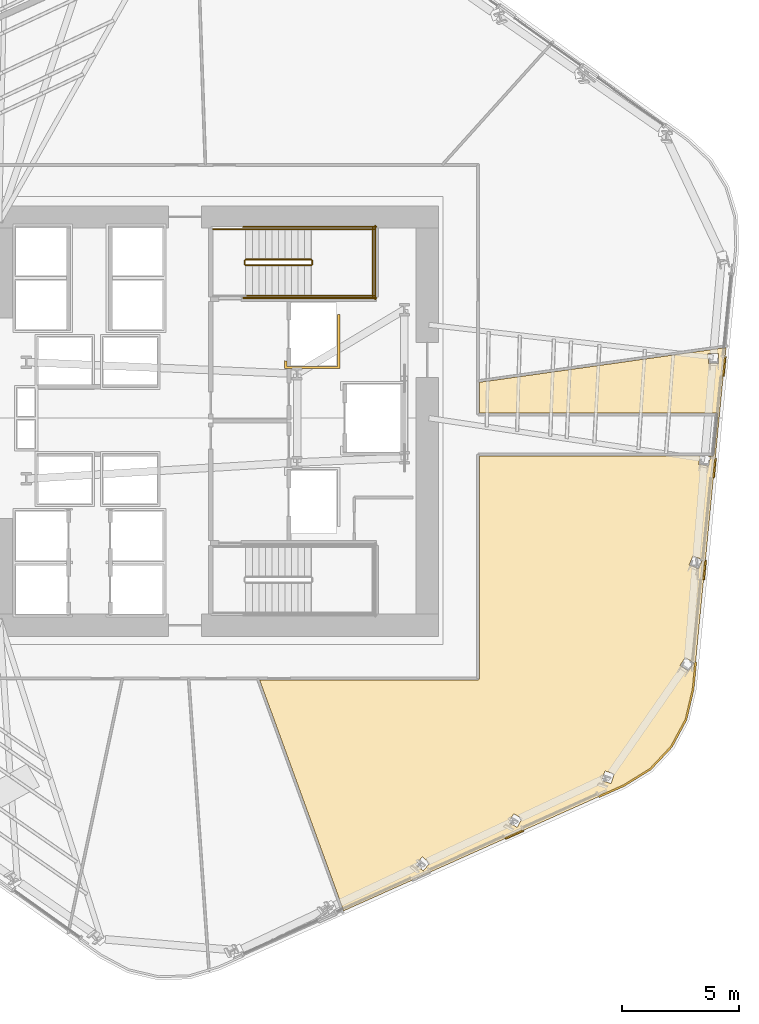
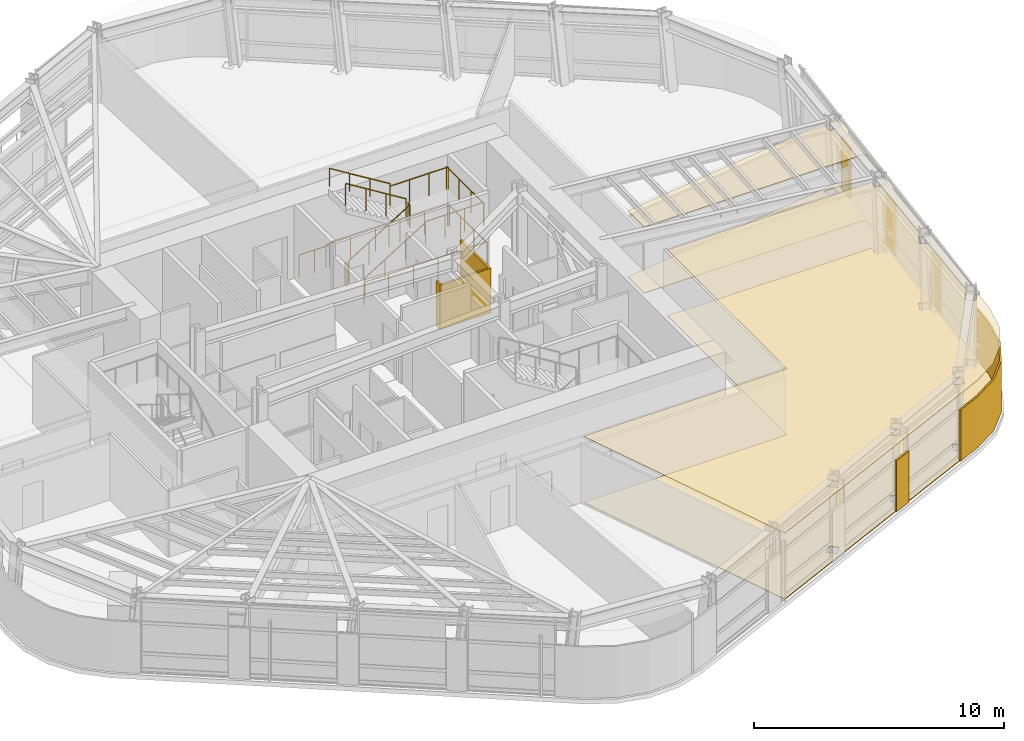
# One storey, part 14 of 16: 13 railings, 8 coverings.
"""IFC4 building model written with IfcOpenShell, lengths in metres."""

from ifc_helpers import new_model, si_unit, direction, frame, origin, origin_2d, place, context, subcontext, project, spatial, polyline, circle, outline, extrude, material, layer, layer_set, type_object, element, save


model = new_model("IFC4")

# Units and contexts
model_context = context("Model", 3, precision=1e-05, world=origin(), true_north=direction((0.0, 1.0)))
body_context = subcontext(model_context, "Body", "Model", "MODEL_VIEW")
ifc_project = project(units=[si_unit("LENGTHUNIT", "METRE"), si_unit("AREAUNIT", "SQUARE_METRE"), si_unit("VOLUMEUNIT", "CUBIC_METRE"), si_unit("PLANEANGLEUNIT", "RADIAN"), si_unit("MASSUNIT", "GRAM", prefix="KILO")], contexts=[model_context])

# Site, building, storey
site_placement = place(None, origin())
site = spatial("IfcSite", under=ifc_project, at=site_placement, CompositionType="ELEMENT")
building_placement = place(site_placement, origin())
building = spatial("IfcBuilding", under=site, at=building_placement, Name="Valkerne Bourse Tower", CompositionType="ELEMENT")
storey_placement = place(building_placement, frame((0.0, 0.0, 127.60009765625)))
storey = spatial("IfcBuildingStorey", under=building, at=storey_placement, Name="L32", CompositionType="ELEMENT", Elevation=127.60009765625)

# Coverings
ifc_material_1 = material(Name="Mineral Fiber Acoustic Ceiling Tile", Category="acoustic")
ifc_layer_1 = layer(ifc_material_1, 0.02490234375)
ifc_layer_set_1 = layer_set([ifc_layer_1], Name="Mineral Fiber Acoustic Ceiling Tile")
covering_type_1 = type_object("IfcCoveringType", Name="COV-CEIL-ACT", PredefinedType="CEILING", material=ifc_layer_set_1)
covering_1_placement = place(storey_placement, frame((0.0, 0.0, 3.22998046875)))
element("IfcCovering", 1, at=covering_1_placement, inside=storey, type_object=covering_type_1, Name="L32 Suspended Ceiling 11", PredefinedType="CEILING", context=body_context, shape_type="SweptSolid", body=[
    extrude(outline(polyline([(66.3876953125, 12.9248046875), (65.484375, 11.962890625), (64.35498046875, 11.2626953125), (52.346923828125, 5.88671875), (48.745849609375, 15.781005859375), (58.1005859375, 15.781005859375), (58.140625, 15.794189453125), (58.162109375, 15.81982421875), (58.1689453125, 15.849609375), (58.1689453125, 25.381103515625), (67.626708984375, 25.381591796875), (67.557861328125, 25.026123046875), (67.5576171875, 25.023193359375), (67.98193359375, 24.941162109375), (68.06103515625, 25.348876953125), (68.061279296875, 25.35205078125), (67.906982421875, 25.3818359375), (68.16162109375, 25.3818359375), (68.20166015625, 25.403076171875), (68.218994140625, 25.43994140625), (68.3837890625, 27.14794921875), (68.365966796875, 27.196533203125), (68.343994140625, 27.212646484375), (68.315185546875, 27.218994140625), (58.1689453125, 27.218994140625), (58.1689453125, 28.5380859375), (68.72900390625, 30.022216796875), (67.314697265625, 15.381591796875), (67.01123046875, 14.087646484375), (66.3876953125, 12.9248046875)]), holes=[polyline([(55.752685546875, 7.60009765625), (56.034423828125, 7.926025390625), (55.72021484375, 8.199462890625), (55.717529296875, 8.1982421875), (55.435546875, 7.872314453125), (55.75, 7.598876953125), (55.752685546875, 7.60009765625)]), polyline([(59.783203125, 9.46728515625), (59.992919921875, 9.843505859375), (59.629638671875, 10.04736328125), (59.626953125, 10.04541015625), (59.41748046875, 9.669189453125), (59.78076171875, 9.46533203125), (59.783203125, 9.46728515625)]), polyline([(63.94140625, 11.7529296875), (63.546142578125, 11.885009765625), (63.5439453125, 11.882568359375), (63.408935546875, 11.4736328125), (63.80419921875, 11.341796875), (63.806396484375, 11.343994140625), (63.94140625, 11.7529296875)]), polyline([(67.3515625, 16.509521484375), (66.9912109375, 16.747802734375), (66.76171875, 16.40185546875), (66.76025390625, 16.39892578125), (67.12060546875, 16.160400390625), (67.35009765625, 16.50634765625), (67.3515625, 16.509521484375)]), polyline([(67.712646484375, 20.9306640625), (67.31396484375, 21.09716796875), (67.153564453125, 20.714111328125), (67.152587890625, 20.711181640625), (67.551513671875, 20.54443359375), (67.7119140625, 20.927490234375), (67.712646484375, 20.9306640625)]), polyline([(68.405029296875, 29.348388671875), (68.3994140625, 29.763427734375), (68.399169921875, 29.7666015625), (67.967041015625, 29.760498046875), (67.97265625, 29.34521484375), (67.972900390625, 29.342041015625), (68.405029296875, 29.348388671875)])]), origin(), (0.0, 0.0, 1.0), 0.02490234375),
])
ifc_material_2 = material(Name="Bronze Anodised Aluminium AA 6063-T6", Category="aluminium")
ifc_layer_2 = layer(ifc_material_2, 0.06005859375)
ifc_layer_set_2 = layer_set([ifc_layer_2], Name="Bronze Anodised Aluminium AA 6063-T6")
covering_type_2 = type_object("IfcCoveringType", Name="COV-CRN-ALUM", PredefinedType="CLADDING", material=ifc_layer_set_2)
covering_2_placement = place(storey_placement, origin())
element("IfcCovering", 2, at=covering_2_placement, inside=storey, type_object=covering_type_2, Name="L32 Wind-Shaped Corner Aluminium Cladding 06", PredefinedType="CLADDING", context=body_context, shape_type="SweptSolid", body=[
    extrude(outline(polyline([(68.6552734375, 28.80126953125), (68.57568359375, 28.80908203125), (68.656494140625, 29.6455078125), (68.736083984375, 29.637451171875), (68.6552734375, 28.80126953125)])), origin(), (0.0, 0.0, 1.0), 2.5),
])
covering_3_placement = place(storey_placement, origin())
element("IfcCovering", 3, at=covering_3_placement, inside=storey, type_object=covering_type_2, Name="L32 Wind-Shaped Corner Aluminium Cladding 07", PredefinedType="CLADDING", context=body_context, shape_type="SweptSolid", body=[
    extrude(outline(polyline([(68.23388671875, 24.438720703125), (68.154296875, 24.446533203125), (68.235107421875, 25.28271484375), (68.314697265625, 25.274658203125), (68.23388671875, 24.438720703125)])), origin(), (0.0, 0.0, 1.0), 2.5),
])
covering_4_placement = place(storey_placement, origin())
element("IfcCovering", 4, at=covering_4_placement, inside=storey, type_object=covering_type_2, Name="L32 Wind-Shaped Corner Aluminium Cladding 08", PredefinedType="CLADDING", context=body_context, shape_type="SweptSolid", body=[
    extrude(outline(polyline([(67.8125, 20.07568359375), (67.73291015625, 20.083740234375), (67.8134765625, 20.919921875), (67.89306640625, 20.911865234375), (67.8125, 20.07568359375)])), origin(), (0.0, 0.0, 1.0), 2.5),
])
covering_5_placement = place(storey_placement, origin())
element("IfcCovering", 5, at=covering_5_placement, inside=storey, type_object=covering_type_2, Name="L32 Wind-Shaped Corner Aluminium Cladding 09", PredefinedType="CLADDING", context=body_context, shape_type="SweptSolid", body=[
    extrude(outline(polyline([(67.358154296875, 15.374267578125), (67.052734375, 14.072021484375), (66.423828125, 12.89892578125), (65.512451171875, 11.9287109375), (64.375732421875, 11.2236328125), (63.29833984375, 10.741455078125), (63.265380859375, 10.814208984375), (64.338134765625, 11.29443359375), (65.46142578125, 11.990966796875), (66.3583984375, 12.94580078125), (66.977294921875, 14.1005859375), (67.279052734375, 15.38720703125), (67.39208984375, 16.55712890625), (67.4716796875, 16.54931640625), (67.358154296875, 15.374267578125)])), origin(), (0.0, 0.0, 1.0), 2.5),
])
covering_6_placement = place(storey_placement, origin())
element("IfcCovering", 6, at=covering_6_placement, inside=storey, type_object=covering_type_2, Name="L32 Wind-Shaped Corner Aluminium Cladding 10", PredefinedType="CLADDING", context=body_context, shape_type="SweptSolid", body=[
    extrude(outline(polyline([(59.2978515625, 8.950439453125), (59.264892578125, 9.0234375), (60.03173828125, 9.36669921875), (60.064697265625, 9.293701171875), (59.2978515625, 8.950439453125)])), origin(), (0.0, 0.0, 1.0), 2.5),
])
ifc_material_3 = material(Name="Polished Granite Stone", Category="masonry")
ifc_layer_3 = layer(ifc_material_3, 0.030029296875)
ifc_layer_set_3 = layer_set([ifc_layer_3], Name="Polished Granite Stone")
covering_type_3 = type_object("IfcCoveringType", Name="COV-FLR-TERRAZZO", PredefinedType="FLOORING", material=ifc_layer_set_3)
covering_7_placement = place(storey_placement, origin())
element("IfcCovering", 7, at=covering_7_placement, inside=storey, type_object=covering_type_3, Name="L32 Floor Finish 11", PredefinedType="FLOORING", context=body_context, shape_type="SweptSolid", body=[
    extrude(outline(polyline([(66.3876953125, 12.9248046875), (65.484375, 11.962890625), (64.35498046875, 11.2626953125), (52.346923828125, 5.88671875), (48.745849609375, 15.781005859375), (58.1005859375, 15.781005859375), (58.140625, 15.794189453125), (58.162109375, 15.81982421875), (58.1689453125, 15.849609375), (58.1689453125, 25.381103515625), (67.626708984375, 25.381591796875), (67.557861328125, 25.026123046875), (67.5576171875, 25.023193359375), (67.98193359375, 24.941162109375), (68.06103515625, 25.348876953125), (68.061279296875, 25.35205078125), (67.906982421875, 25.3818359375), (68.16162109375, 25.3818359375), (68.20166015625, 25.403076171875), (68.218994140625, 25.43994140625), (68.3837890625, 27.14794921875), (68.365966796875, 27.196533203125), (68.343994140625, 27.212646484375), (68.315185546875, 27.218994140625), (58.1689453125, 27.218994140625), (58.1689453125, 28.5380859375), (68.72900390625, 30.022216796875), (67.314697265625, 15.381591796875), (67.01123046875, 14.087646484375), (66.3876953125, 12.9248046875)]), holes=[polyline([(55.752685546875, 7.60009765625), (56.034423828125, 7.926025390625), (55.72021484375, 8.199462890625), (55.717529296875, 8.1982421875), (55.435546875, 7.872314453125), (55.75, 7.598876953125), (55.752685546875, 7.60009765625)]), polyline([(59.783203125, 9.46728515625), (59.992919921875, 9.843505859375), (59.629638671875, 10.04736328125), (59.626953125, 10.04541015625), (59.41748046875, 9.669189453125), (59.78076171875, 9.46533203125), (59.783203125, 9.46728515625)]), polyline([(63.94140625, 11.7529296875), (63.546142578125, 11.885009765625), (63.5439453125, 11.882568359375), (63.408935546875, 11.4736328125), (63.80419921875, 11.341796875), (63.806396484375, 11.343994140625), (63.94140625, 11.7529296875)]), polyline([(67.3515625, 16.509521484375), (66.9912109375, 16.747802734375), (66.76171875, 16.40185546875), (66.76025390625, 16.39892578125), (67.12060546875, 16.160400390625), (67.35009765625, 16.50634765625), (67.3515625, 16.509521484375)]), polyline([(67.712646484375, 20.9306640625), (67.31396484375, 21.09716796875), (67.153564453125, 20.714111328125), (67.152587890625, 20.711181640625), (67.551513671875, 20.54443359375), (67.7119140625, 20.927490234375), (67.712646484375, 20.9306640625)]), polyline([(68.405029296875, 29.348388671875), (68.3994140625, 29.763427734375), (68.399169921875, 29.7666015625), (67.967041015625, 29.760498046875), (67.97265625, 29.34521484375), (67.972900390625, 29.342041015625), (68.405029296875, 29.348388671875)])]), origin(), (0.0, 0.0, 1.0), 0.02978515625),
])
ifc_material_4 = material(Name="Gypsum Shaftwall Liner Board", Category="gypsum")
ifc_layer_4 = layer(ifc_material_4, 0.080078125)
ifc_layer_set_4 = layer_set([ifc_layer_4], Name="Gypsum Shaftwall Liner Board")
covering_type_4 = type_object("IfcCoveringType", Name="COV-SHF-CLAD", PredefinedType="CLADDING", material=ifc_layer_set_4)
covering_8_placement = place(storey_placement, origin())
element("IfcCovering", 8, at=covering_8_placement, inside=storey, type_object=covering_type_4, Name="L32 Hoistway & Riser Shaftwall Liner 10", PredefinedType="CLADDING", context=body_context, shape_type="SweptSolid", body=[
    extrude(outline(polyline([(49.820068359375, 29.1201171875), (49.820068359375, 29.468017578125), (49.827880859375, 29.46435546875), (49.869384765625, 29.449462890625), (49.909912109375, 29.439208984375), (49.909912109375, 29.2099609375), (52.090087890625, 29.2099609375), (52.090087890625, 31.449951171875), (52.179931640625, 31.449951171875), (52.179931640625, 29.1201171875), (49.820068359375, 29.1201171875)])), origin(), (0.0, 0.0, 1.0), 2.179931640625),
])

# Railings
ifc_material_5 = material(Name="Galvanised Painted Steel", Category="steel")
railing_type_1 = type_object("IfcRailingType", Name="RLG-ST-GUARD-1120", PredefinedType="GUARDRAIL", material=ifc_material_5)
railing_1_placement = place(storey_placement, frame((48.14990234375, 33.550048828125, 0.172607421875)))
element("IfcRailing", 9, at=railing_1_placement, inside=storey, type_object=railing_type_1, Name="L32 ST-2 stair guard 1", PredefinedType="GUARDRAIL", context=body_context, shape_type="SweptSolid", body=[
    extrude(circle(Radius=0.02392578125, at=origin_2d()), frame((0.0, 0.0, 1.09619140625), z_axis=(0.851089632645, 0.0, 0.525020415988), x_axis=(0.0, 1.0, 0.0)), (0.0, 0.0, 1.0), 3.2900390625),
    extrude(circle(Radius=0.02099609375, at=origin_2d()), origin(), (0.0, 0.0, 1.0), 1.072021484375),
    extrude(circle(Radius=0.02099609375, at=origin_2d()), frame((0.933349609375, 0.0, 0.57568359375)), (0.0, 0.0, 1.0), 1.072021484375),
    extrude(circle(Radius=0.02099609375, at=origin_2d()), frame((1.86669921875, 0.0, 1.151611328125)), (0.0, 0.0, 1.0), 1.072021484375),
    extrude(circle(Radius=0.02099609375, at=origin_2d()), frame((2.800048828125, 0.0, 1.727294921875)), (0.0, 0.0, 1.0), 1.072021484375),
])
railing_2_placement = place(storey_placement, frame((51.0, 33.60009765625, 1.89990234375)))
element("IfcRailing", 10, at=railing_2_placement, inside=storey, type_object=railing_type_1, Name="L32 ST-2 stair guard 2", PredefinedType="GUARDRAIL", context=body_context, shape_type="SweptSolid", body=[
    extrude(circle(Radius=0.02392578125, at=origin_2d()), frame((0.0, 0.0, 1.09619140625), z_axis=(0.0, 1.0, 0.0), x_axis=(-1.0, 0.0, 0.0)), (0.0, 0.0, 1.0), 0.14990234375),
    extrude(circle(Radius=0.02099609375, at=origin_2d()), origin(), (0.0, 0.0, 1.0), 1.072021484375),
    extrude(circle(Radius=0.02099609375, at=origin_2d()), frame((0.0, 0.14990234375, 0.0)), (0.0, 0.0, 1.0), 1.072021484375),
])
for number, where, name in (
    (11, (50.949951171875, 32.25, 1.89990234375), "L32 ST-2 stair guard 3"),
    (12, (50.949951171875, 35.10009765625, 1.89990234375), "L32 ST-2 stair guard 4"),
):
    element("IfcRailing", number, at=place(storey_placement, frame(where)), inside=storey, type_object=railing_type_1, Name=name, PredefinedType="GUARDRAIL", context=body_context, shape_type="SweptSolid", body=[
        extrude(circle(Radius=0.02392578125, at=origin_2d()), frame((0.0, 0.0, 1.09619140625), z_axis=(1.0, 0.0, 0.0), x_axis=(0.0, 1.0, 0.0)), (0.0, 0.0, 1.0), 2.699951171875),
        extrude(circle(Radius=0.02099609375, at=origin_2d()), origin(), (0.0, 0.0, 1.0), 1.072021484375),
        extrude(circle(Radius=0.02099609375, at=origin_2d()), frame((0.89990234375, 0.0, 0.0)), (0.0, 0.0, 1.0), 1.072021484375),
        extrude(circle(Radius=0.02099609375, at=origin_2d()), frame((1.800048828125, 0.0, 0.0)), (0.0, 0.0, 1.0), 1.072021484375),
        extrude(circle(Radius=0.02099609375, at=origin_2d()), frame((2.699951171875, 0.0, 0.0)), (0.0, 0.0, 1.0), 1.072021484375),
    ])
railing_3_placement = place(storey_placement, frame((53.60009765625, 32.199951171875, 1.89990234375)))
element("IfcRailing", 13, at=railing_3_placement, inside=storey, type_object=railing_type_1, Name="L32 ST-2 stair guard 5", PredefinedType="GUARDRAIL", context=body_context, shape_type="SweptSolid", body=[
    extrude(circle(Radius=0.02392578125, at=origin_2d()), frame((0.0, 0.0, 1.09619140625), z_axis=(0.0, 1.0, 0.0), x_axis=(-1.0, 0.0, 0.0)), (0.0, 0.0, 1.0), 2.949951171875),
    extrude(circle(Radius=0.02099609375, at=origin_2d()), origin(), (0.0, 0.0, 1.0), 1.072021484375),
    extrude(circle(Radius=0.02099609375, at=origin_2d()), frame((0.0, 0.9833984375, 0.0)), (0.0, 0.0, 1.0), 1.072021484375),
    extrude(circle(Radius=0.02099609375, at=origin_2d()), frame((0.0, 1.966552734375, 0.0)), (0.0, 0.0, 1.0), 1.072021484375),
    extrude(circle(Radius=0.02099609375, at=origin_2d()), frame((0.0, 2.949951171875, 0.0)), (0.0, 0.0, 1.0), 1.072021484375),
])
railing_4_placement = place(storey_placement, frame((50.949951171875, 33.800048828125, 2.072509765625)))
element("IfcRailing", 14, at=railing_4_placement, inside=storey, type_object=railing_type_1, Name="L32 ST-2 stair guard 6", PredefinedType="GUARDRAIL", context=body_context, shape_type="SweptSolid", body=[
    extrude(circle(Radius=0.02392578125, at=origin_2d()), frame((0.0, 0.0, 1.09619140625), z_axis=(-0.851089632645, 0.0, 0.525020415988), x_axis=(0.0, -1.0, 0.0)), (0.0, 0.0, 1.0), 3.2900390625),
    extrude(circle(Radius=0.02099609375, at=origin_2d()), origin(), (0.0, 0.0, 1.0), 1.072021484375),
    extrude(circle(Radius=0.02099609375, at=origin_2d()), frame((-0.933349609375, 0.0, 0.57568359375)), (0.0, 0.0, 1.0), 1.072021484375),
    extrude(circle(Radius=0.02099609375, at=origin_2d()), frame((-1.86669921875, 0.0, 1.151611328125)), (0.0, 0.0, 1.0), 1.072021484375),
    extrude(circle(Radius=0.02099609375, at=origin_2d()), frame((-2.800048828125, 0.0, 1.727294921875)), (0.0, 0.0, 1.0), 1.072021484375),
])
railing_5_placement = place(storey_placement, frame((48.10009765625, 33.60009765625, 0.0)))
element("IfcRailing", 15, at=railing_5_placement, inside=storey, type_object=railing_type_1, Name="L32 ST-2 stair guard 7", PredefinedType="GUARDRAIL", context=body_context, shape_type="SweptSolid", body=[
    extrude(circle(Radius=0.02392578125, at=origin_2d()), frame((0.0, 0.0, 1.09619140625), z_axis=(0.0, 1.0, 0.0), x_axis=(-1.0, 0.0, 0.0)), (0.0, 0.0, 1.0), 0.14990234375),
    extrude(circle(Radius=0.02099609375, at=origin_2d()), origin(), (0.0, 0.0, 1.0), 1.072021484375),
    extrude(circle(Radius=0.02099609375, at=origin_2d()), frame((0.0, 0.14990234375, 0.0)), (0.0, 0.0, 1.0), 1.072021484375),
])
railing_6_placement = place(storey_placement, frame((46.75, 35.10009765625, 0.0)))
element("IfcRailing", 16, at=railing_6_placement, inside=storey, type_object=railing_type_1, Name="L32 ST-2 stair guard 9", PredefinedType="GUARDRAIL", context=body_context, shape_type="SweptSolid", body=[
    extrude(circle(Radius=0.02392578125, at=origin_2d()), frame((0.0, 0.0, 1.09619140625), z_axis=(1.0, 0.0, 0.0), x_axis=(0.0, 1.0, 0.0)), (0.0, 0.0, 1.0), 1.39990234375),
    extrude(circle(Radius=0.02099609375, at=origin_2d()), origin(), (0.0, 0.0, 1.0), 1.072021484375),
    extrude(circle(Radius=0.02099609375, at=origin_2d()), frame((0.699951171875, 0.0, 0.0)), (0.0, 0.0, 1.0), 1.072021484375),
    extrude(circle(Radius=0.02099609375, at=origin_2d()), frame((1.39990234375, 0.0, 0.0)), (0.0, 0.0, 1.0), 1.072021484375),
])
for number, where, name in (
    (17, (48.050048828125, 32.14990234375, 0.0), "L32 ST-2 stair guard 10"),
    (18, (48.050048828125, 35.199951171875, 0.0), "L32 ST-2 stair guard 11"),
):
    element("IfcRailing", number, at=place(storey_placement, frame(where)), inside=storey, type_object=railing_type_1, Name=name, PredefinedType="GUARDRAIL", context=body_context, shape_type="SweptSolid", body=[
        extrude(circle(Radius=0.02392578125, at=origin_2d()), frame((0.0, 0.0, 1.09619140625), z_axis=(1.0, 0.0, 0.0), x_axis=(0.0, 1.0, 0.0)), (0.0, 0.0, 1.0), 5.699951171875),
        extrude(circle(Radius=0.02099609375, at=origin_2d()), origin(), (0.0, 0.0, 1.0), 1.072021484375),
        extrude(circle(Radius=0.02099609375, at=origin_2d()), frame((1.139892578125, 0.0, 0.0)), (0.0, 0.0, 1.0), 1.072021484375),
        extrude(circle(Radius=0.02099609375, at=origin_2d()), frame((2.280029296875, 0.0, 0.0)), (0.0, 0.0, 1.0), 1.072021484375),
        extrude(circle(Radius=0.02099609375, at=origin_2d()), frame((3.419921875, 0.0, 0.0)), (0.0, 0.0, 1.0), 1.072021484375),
        extrude(circle(Radius=0.02099609375, at=origin_2d()), frame((4.56005859375, 0.0, 0.0)), (0.0, 0.0, 1.0), 1.072021484375),
        extrude(circle(Radius=0.02099609375, at=origin_2d()), frame((5.699951171875, 0.0, 0.0)), (0.0, 0.0, 1.0), 1.072021484375),
    ])
railing_7_placement = place(storey_placement, frame((53.699951171875, 32.10009765625, 0.0)))
element("IfcRailing", 19, at=railing_7_placement, inside=storey, type_object=railing_type_1, Name="L32 ST-2 stair guard 12", PredefinedType="GUARDRAIL", context=body_context, shape_type="SweptSolid", body=[
    extrude(circle(Radius=0.02392578125, at=origin_2d()), frame((0.0, 0.0, 1.09619140625), z_axis=(0.0, 1.0, 0.0), x_axis=(-1.0, 0.0, 0.0)), (0.0, 0.0, 1.0), 3.14990234375),
    extrude(circle(Radius=0.02099609375, at=origin_2d()), origin(), (0.0, 0.0, 1.0), 1.072021484375),
    extrude(circle(Radius=0.02099609375, at=origin_2d()), frame((0.0, 1.050048828125, 0.0)), (0.0, 0.0, 1.0), 1.072021484375),
    extrude(circle(Radius=0.02099609375, at=origin_2d()), frame((0.0, 2.099853515625, 0.0)), (0.0, 0.0, 1.0), 1.072021484375),
    extrude(circle(Radius=0.02099609375, at=origin_2d()), frame((0.0, 3.14990234375, 0.0)), (0.0, 0.0, 1.0), 1.072021484375),
])
ifc_material_6 = material(Name="Stainless Steel AISI 316", Category="steel")
railing_type_2 = type_object("IfcRailingType", Name="RLG-ST-HANDRAIL-900", PredefinedType="HANDRAIL", material=ifc_material_6)
railing_8_placement = place(storey_placement, frame((48.14990234375, 32.25, 0.345458984375)))
element("IfcRailing", 20, at=railing_8_placement, inside=storey, type_object=railing_type_2, Name="L32 ST-2 stair handrail 1", PredefinedType="HANDRAIL", context=body_context, shape_type="SweptSolid", body=[
    extrude(circle(Radius=0.02392578125, at=origin_2d()), frame((0.0, 0.0, 0.8759765625), z_axis=(0.851122791225, 0.0, 0.524966660138), x_axis=(0.0, 1.0, 0.0)), (0.0, 0.0, 1.0), 3.289794921875),
    extrude(circle(Radius=0.02099609375, at=origin_2d()), origin(), (0.0, 0.0, 1.0), 0.851806640625),
    extrude(circle(Radius=0.02099609375, at=origin_2d()), frame((0.933349609375, 0.0, 0.57568359375)), (0.0, 0.0, 1.0), 0.851806640625),
    extrude(circle(Radius=0.02099609375, at=origin_2d()), frame((1.86669921875, 0.0, 1.1513671875)), (0.0, 0.0, 1.0), 0.851806640625),
    extrude(circle(Radius=0.02099609375, at=origin_2d()), frame((2.800048828125, 0.0, 1.72705078125)), (0.0, 0.0, 1.0), 0.851806640625),
])
railing_9_placement = place(storey_placement, frame((50.949951171875, 35.10009765625, 2.245361328125)))
element("IfcRailing", 21, at=railing_9_placement, inside=storey, type_object=railing_type_2, Name="L32 ST-2 stair handrail 2", PredefinedType="HANDRAIL", context=body_context, shape_type="SweptSolid", body=[
    extrude(circle(Radius=0.02392578125, at=origin_2d()), frame((0.0, 0.0, 0.8759765625), z_axis=(-0.851089632645, 0.0, 0.525020415988), x_axis=(0.0, -1.0, 0.0)), (0.0, 0.0, 1.0), 3.2900390625),
    extrude(circle(Radius=0.02099609375, at=origin_2d()), origin(), (0.0, 0.0, 1.0), 0.851806640625),
    extrude(circle(Radius=0.02099609375, at=origin_2d()), frame((-0.933349609375, 0.0, 0.57568359375)), (0.0, 0.0, 1.0), 0.851806640625),
    extrude(circle(Radius=0.02099609375, at=origin_2d()), frame((-1.86669921875, 0.0, 1.151611328125)), (0.0, 0.0, 1.0), 0.851806640625),
    extrude(circle(Radius=0.02099609375, at=origin_2d()), frame((-2.800048828125, 0.0, 1.727294921875)), (0.0, 0.0, 1.0), 0.851806640625),
])

save(model, "model.ifc")
